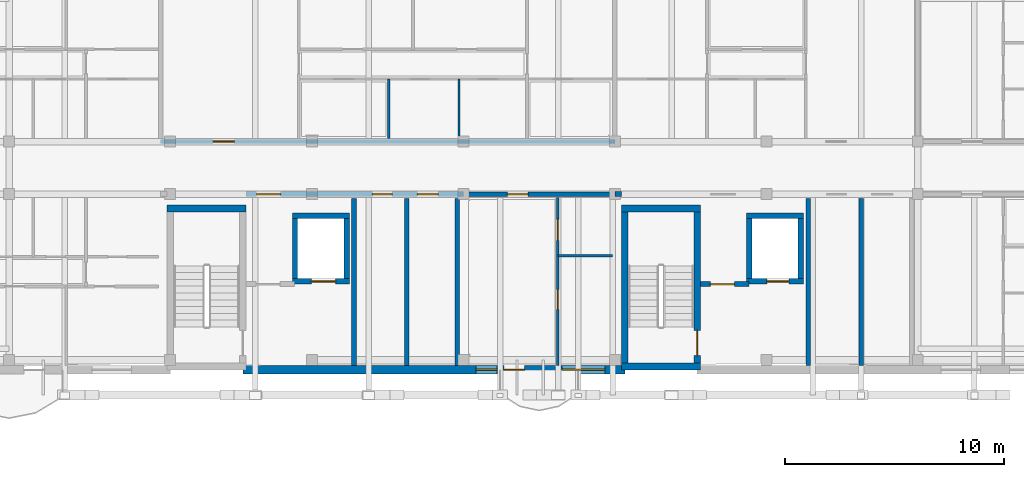
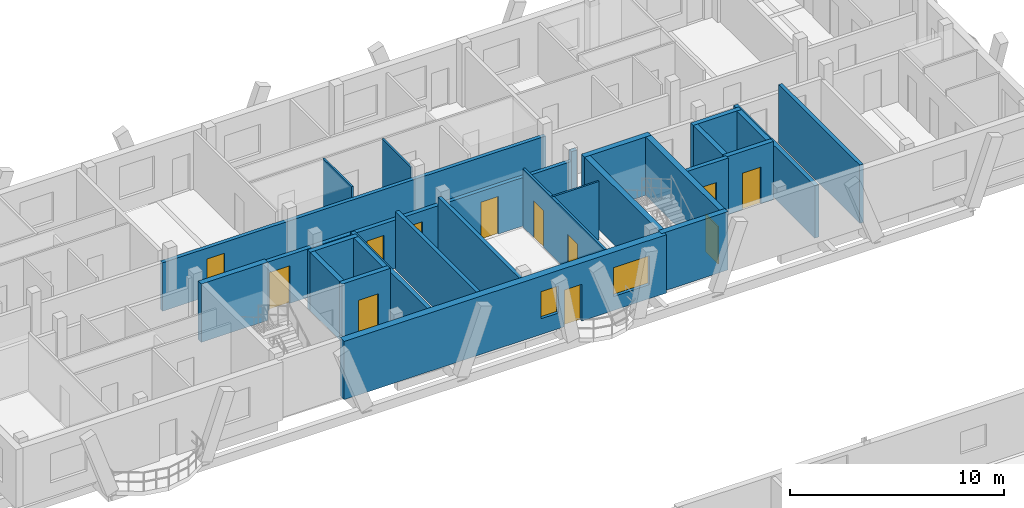
# One storey, part 164 of 189: 28 walls, 12 doors, 2 windows, 14 openings.
"""IFC4 building model written with IfcOpenShell, lengths in metres."""

from ifc_helpers import new_model, si_unit, direction, frame, frame_2d, origin, origin_with_axes, place, context, subcontext, project, spatial, rectangle, extrude, material, layer, layer_set, type_object, element, fill, save


model = new_model("IFC4")

# Units and contexts
model_context = context("Model", 3, precision=1e-05, world=origin(), true_north=direction((0.0, 1.0)))
body_context = subcontext(model_context, "Body", "Model", "MODEL_VIEW")
ifc_project = project(units=[si_unit("LENGTHUNIT", "METRE"), si_unit("AREAUNIT", "SQUARE_METRE"), si_unit("VOLUMEUNIT", "CUBIC_METRE"), si_unit("PLANEANGLEUNIT", "RADIAN"), si_unit("MASSUNIT", "GRAM", prefix="KILO")], contexts=[model_context])

# Site, building, storey
site_placement = place(None, origin())
site = spatial("IfcSite", under=ifc_project, at=site_placement, CompositionType="ELEMENT")
building_placement = place(site_placement, origin())
building = spatial("IfcBuilding", under=site, at=building_placement, Name="Zavelmont Quarter", CompositionType="ELEMENT")
storey_placement = place(building_placement, frame((0.0, 0.0, 4.39990234375)))
storey = spatial("IfcBuildingStorey", under=building, at=storey_placement, Name="L01", CompositionType="ELEMENT", Elevation=4.39990234375)

# Wall, openings, door, windows
ifc_material_1 = material(Name="Natural Belgian limestone", Category="masonry")
ifc_layer_1 = layer(ifc_material_1, 0.3798828125)
ifc_layer_set_1 = layer_set([ifc_layer_1], Name="Natural Belgian limestone")
wall_type_1 = type_object("IfcWallType", Name="EW01", PredefinedType="STANDARD", material=ifc_layer_set_1)
wall_1_placement = place(storey_placement, frame((130.35009765625, 97.60009765625, 0.0), z_axis=(0.0, 0.0, 1.0), x_axis=(1.0, 0.0, 0.0)))
wall_1 = element("IfcWall", 1, at=wall_1_placement, inside=storey, type_object=wall_type_1, Name="L01 exterior limestone wall EW01", PredefinedType="STANDARD", context=body_context, shape_type="SweptSolid", body=[
    extrude(rectangle(XDim=17.39990234375, YDim=0.3798828125, at=frame_2d((8.699951171875, 0.0))), origin(), (0.0, 0.0, 1.0), 3.330078125),
])
opening_1_placement = place(wall_1_placement, frame((11.891845703125, 0.0, 0.0)))
opening_1 = element("IfcOpeningElement", 2, at=opening_1_placement, cuts=wall_1, Name="Opening DR04", PredefinedType="OPENING", context=body_context, shape_type="SweptSolid", body=[
    extrude(rectangle(XDim=0.949951171875, YDim=2.10009765625, at=frame_2d((0.47509765625, 1.050048828125))), frame((0.0, 0.201904296875, 0.0), z_axis=(0.0, -1.0, 0.0), x_axis=(1.0, 0.0, 0.0)), (0.0, 0.0, 1.0), 0.40380859375),
])
opening_2_placement = place(wall_1_placement, frame((10.6201171875, 0.0, 0.89990234375)))
opening_2 = element("IfcOpeningElement", 3, at=opening_2_placement, cuts=wall_1, Name="Opening WN04", PredefinedType="OPENING", context=body_context, shape_type="SweptSolid", body=[
    extrude(rectangle(XDim=0.949951171875, YDim=1.550048828125, at=frame_2d((0.47509765625, 0.77490234375))), frame((0.0, 0.201904296875, 0.0), z_axis=(0.0, -1.0, 0.0), x_axis=(1.0, 0.0, 0.0)), (0.0, 0.0, 1.0), 0.40380859375),
])
opening_3_placement = place(wall_1_placement, frame((14.547607421875, 0.0, 0.800048828125)))
opening_3 = element("IfcOpeningElement", 4, at=opening_3_placement, cuts=wall_1, Name="Opening WN24", PredefinedType="OPENING", context=body_context, shape_type="SweptSolid", body=[
    extrude(rectangle(XDim=1.949951171875, YDim=1.64990234375, at=frame_2d((0.97509765625, 0.824951171875))), frame((0.0, 0.201904296875, 0.0), z_axis=(0.0, -1.0, 0.0), x_axis=(1.0, 0.0, 0.0)), (0.0, 0.0, 1.0), 0.40380859375),
])
ifc_material_2 = material(Name="Thermally broken aluminium and double safety glass", Category="aluminium")
door_type_1 = type_object("IfcDoorType", Name="DR04", OperationType="NOTDEFINED", PredefinedType="DOOR", material=ifc_material_2)
door_1_placement = place(opening_1_placement, origin_with_axes())
door_1 = element("IfcDoor", 5, at=door_1_placement, inside=storey, type_object=door_type_1, Name="Block C L01 glazed balcony door", OperationType="SINGLE_SWING_RIGHT", OverallHeight=2.10009765625, OverallWidth=0.949951171875, PredefinedType="DOOR", context=body_context, shape_type="SweptSolid", body=[
    extrude(rectangle(XDim=0.949951171875, YDim=2.10009765625, at=frame_2d((0.47509765625, 1.050048828125))), frame((0.0, 0.02490234375, 0.0), z_axis=(0.0, -1.0, 0.0), x_axis=(1.0, 0.0, 0.0)), (0.0, 0.0, 1.0), 0.050048828125),
])
fill(opening_1, door_1)
ifc_material_3 = material(Name="Double low-E insulated glazing in thermally broken aluminium frame", Category="aluminium")
window_type_1 = type_object("IfcWindowType", Name="WN04", PartitioningType="SINGLE_PANEL", PredefinedType="WINDOW", material=ifc_material_3)
window_1_placement = place(opening_2_placement, origin_with_axes())
window_1 = element("IfcWindow", 6, at=window_1_placement, inside=storey, type_object=window_type_1, Name="L01 window WN04", OverallHeight=1.550048828125, OverallWidth=0.949951171875, PartitioningType="SINGLE_PANEL", PredefinedType="WINDOW", context=body_context, shape_type="SweptSolid", body=[
    extrude(rectangle(XDim=0.949951171875, YDim=1.550048828125, at=frame_2d((0.47509765625, 0.77490234375))), frame((0.0, 0.030029296875, 0.0), z_axis=(0.0, -1.0, 0.0), x_axis=(1.0, 0.0, 0.0)), (0.0, 0.0, 1.0), 0.06005859375),
])
fill(opening_2, window_1)
window_type_2 = type_object("IfcWindowType", Name="WN24", PartitioningType="SINGLE_PANEL", PredefinedType="WINDOW", material=ifc_material_3)
window_2_placement = place(opening_3_placement, origin_with_axes())
window_2 = element("IfcWindow", 7, at=window_2_placement, inside=storey, type_object=window_type_2, Name="L01 window WN24", OverallHeight=1.64990234375, OverallWidth=1.949951171875, PartitioningType="SINGLE_PANEL", PredefinedType="WINDOW", context=body_context, shape_type="SweptSolid", body=[
    extrude(rectangle(XDim=1.949951171875, YDim=1.64990234375, at=frame_2d((0.97509765625, 0.824951171875))), frame((0.0, 0.030029296875, 0.0), z_axis=(0.0, -1.0, 0.0), x_axis=(1.0, 0.0, 0.0)), (0.0, 0.0, 1.0), 0.06005859375),
])
fill(opening_3, window_2)

# Walls
ifc_material_4 = material(Name="Calcium-silicate blockwork and acoustic plaster", Category="masonry")
ifc_layer_2 = layer(ifc_material_4, 0.199951171875)
ifc_layer_set_2 = layer_set([ifc_layer_2], Name="Calcium-silicate blockwork and acoustic plaster")
wall_type_2 = type_object("IfcWallType", Name="IW01", PredefinedType="PARTITIONING", material=ifc_layer_set_2)
for number, where, z_axis, x_axis, name in (
    (8, (137.824951171875, 97.800048828125, 0.0), (0.0, 0.0, 1.0), (0.0, 1.0, 0.0), "L01 Service riser divider wall IW01"),
    (9, (140.1201171875, 97.800048828125, 0.0), (0.0, 0.0, 1.0), (0.0, 1.0, 0.0), "L01 Core service end wall IW01"),
    (10, (158.52490234375, 97.800048828125, 0.0), (0.0, 0.0, 1.0), (0.0, 1.0, 0.0), "L01 Service riser divider wall IW01"),
):
    element("IfcWall", number, at=place(storey_placement, frame(where, z_axis=z_axis, x_axis=x_axis)), inside=storey, type_object=wall_type_2, Name=name, PredefinedType="PARTITIONING", context=body_context, shape_type="SweptSolid", body=[
        extrude(rectangle(XDim=7.599853515625, YDim=0.199951171875, at=frame_2d((3.7998046875, 0.0))), origin(), (0.0, 0.0, 1.0), 3.330078125),
    ])

# Wall, opening, door
wall_2_placement = place(storey_placement, frame((126.60009765625, 108.0, 0.0), z_axis=(0.0, 0.0, 1.0), x_axis=(1.0, 0.0, 0.0)))
wall_2 = element("IfcWall", 11, at=wall_2_placement, inside=storey, type_object=wall_type_2, Name="L01 Corridor compartment wall IW01", PredefinedType="PARTITIONING", context=body_context, shape_type="SweptSolid", body=[
    extrude(rectangle(XDim=20.699951171875, YDim=0.199951171875, at=frame_2d((10.35009765625, 0.0))), origin(), (0.0, 0.0, 1.0), 2.77001953125),
])
opening_4_placement = place(wall_2_placement, frame((2.39990234375, 0.0, 0.0)))
opening_4 = element("IfcOpeningElement", 12, at=opening_4_placement, cuts=wall_2, Name="Opening DR02", PredefinedType="OPENING", context=body_context, shape_type="SweptSolid", body=[
    extrude(rectangle(XDim=0.949951171875, YDim=2.14990234375, at=frame_2d((0.47509765625, 1.074951171875))), frame((0.0, 0.11181640625, 0.0), z_axis=(0.0, -1.0, 0.0), x_axis=(1.0, 0.0, 0.0)), (0.0, 0.0, 1.0), 0.223876953125),
])
ifc_material_5 = material(Name="Solid-core oak fire leaf in steel frame", Category="steel")
door_type_2 = type_object("IfcDoorType", Name="DR02", OperationType="NOTDEFINED", PredefinedType="DOOR", material=ifc_material_5)
door_2_placement = place(opening_4_placement, origin_with_axes())
door_2 = element("IfcDoor", 13, at=door_2_placement, inside=storey, type_object=door_type_2, Name="L01 door DR02", OperationType="SINGLE_SWING_RIGHT", OverallHeight=2.14990234375, OverallWidth=0.949951171875, PredefinedType="DOOR", context=body_context, shape_type="SweptSolid", body=[
    extrude(rectangle(XDim=0.949951171875, YDim=2.14990234375, at=frame_2d((0.47509765625, 1.074951171875))), frame((0.0, 0.02490234375, 0.0), z_axis=(0.0, -1.0, 0.0), x_axis=(1.0, 0.0, 0.0)), (0.0, 0.0, 1.0), 0.050048828125),
])
fill(opening_4, door_2)

wall_3_placement = place(storey_placement, frame((140.39990234375, 105.60009765625, 0.0), z_axis=(0.0, 0.0, 1.0), x_axis=(1.0, 0.0, 0.0)))
wall_3 = element("IfcWall", 14, at=wall_3_placement, inside=storey, type_object=wall_type_2, Name="L01 Corridor compartment wall IW01", PredefinedType="PARTITIONING", context=body_context, shape_type="SweptSolid", body=[
    extrude(rectangle(XDim=6.900146484375, YDim=0.199951171875, at=frame_2d((3.4501953125, 0.0))), origin(), (0.0, 0.0, 1.0), 2.77001953125),
])
opening_5_placement = place(wall_3_placement, frame((2.0, 0.0, 0.0)))
opening_5 = element("IfcOpeningElement", 15, at=opening_5_placement, cuts=wall_3, Name="Opening DR02", PredefinedType="OPENING", context=body_context, shape_type="SweptSolid", body=[
    extrude(rectangle(XDim=0.949951171875, YDim=2.14990234375, at=frame_2d((0.47509765625, 1.074951171875))), frame((0.0, 0.11181640625, 0.0), z_axis=(0.0, -1.0, 0.0), x_axis=(1.0, 0.0, 0.0)), (0.0, 0.0, 1.0), 0.223876953125),
])
door_3_placement = place(opening_5_placement, frame((0.949951171875, 0.0, 0.0), z_axis=(0.0, 0.0, 1.0), x_axis=(-1.0, 0.0, 0.0)))
door_3 = element("IfcDoor", 16, at=door_3_placement, inside=storey, type_object=door_type_2, Name="L01 door DR02", OperationType="SINGLE_SWING_LEFT", OverallHeight=2.14990234375, OverallWidth=0.949951171875, PredefinedType="DOOR", context=body_context, shape_type="SweptSolid", body=[
    extrude(rectangle(XDim=0.949951171875, YDim=2.14990234375, at=frame_2d((0.47509765625, 1.074951171875))), frame((0.0, 0.02490234375, 0.0), z_axis=(0.0, -1.0, 0.0), x_axis=(1.0, 0.0, 0.0)), (0.0, 0.0, 1.0), 0.050048828125),
])
fill(opening_5, door_3)

# Wall
ifc_material_6 = material(Name="Reinforced masonry fire compartment wall", Category="masonry")
ifc_layer_3 = layer(ifc_material_6, 0.22509765625)
ifc_layer_set_3 = layer_set([ifc_layer_3], Name="Reinforced masonry fire compartment wall")
wall_type_3 = type_object("IfcWallType", Name="IW02", PredefinedType="PARTITIONING", material=ifc_layer_set_3)
wall_4_placement = place(storey_placement, frame((135.409912109375, 97.800048828125, 0.0), z_axis=(0.0, 0.0, 1.0), x_axis=(0.0, 1.0, 0.0)))
element("IfcWall", 17, at=wall_4_placement, inside=storey, type_object=wall_type_3, Name="L01 Firefighting lobby enclosure wall IW02", PredefinedType="PARTITIONING", context=body_context, shape_type="SweptSolid", body=[
    extrude(rectangle(XDim=7.599853515625, YDim=0.22509765625, at=frame_2d((3.7998046875, 0.0))), origin(), (0.0, 0.0, 1.0), 2.989990234375),
])

# Wall, openings, doors
wall_5_placement = place(storey_placement, frame((130.5, 105.60009765625, 0.0), z_axis=(0.0, 0.0, 1.0), x_axis=(1.0, 0.0, 0.0)))
wall_5 = element("IfcWall", 18, at=wall_5_placement, inside=storey, type_object=wall_type_3, Name="L01 Core corridor fire wall IW02", PredefinedType="PARTITIONING", context=body_context, shape_type="SweptSolid", body=[
    extrude(rectangle(XDim=9.89990234375, YDim=0.22509765625, at=frame_2d((4.949951171875, 0.0))), origin(), (0.0, 0.0, 1.0), 2.77001953125),
])
opening_6_placement = place(wall_5_placement, frame((0.47509765625, 0.0, 0.0)))
opening_6 = element("IfcOpeningElement", 19, at=opening_6_placement, cuts=wall_5, Name="Opening DR10", PredefinedType="OPENING", context=body_context, shape_type="SweptSolid", body=[
    extrude(rectangle(XDim=1.10009765625, YDim=2.14990234375, at=frame_2d((0.550048828125, 1.074951171875))), frame((0.0, 0.12451171875, 0.0), z_axis=(0.0, -1.0, 0.0), x_axis=(1.0, 0.0, 0.0)), (0.0, 0.0, 1.0), 0.2490234375),
])
opening_7_placement = place(wall_5_placement, frame((5.75, 0.0, 0.0)))
opening_7 = element("IfcOpeningElement", 20, at=opening_7_placement, cuts=wall_5, Name="Opening DR11", PredefinedType="OPENING", context=body_context, shape_type="SweptSolid", body=[
    extrude(rectangle(XDim=0.89990234375, YDim=2.10009765625, at=frame_2d((0.449951171875, 1.050048828125))), frame((0.0, 0.12451171875, 0.0), z_axis=(0.0, -1.0, 0.0), x_axis=(1.0, 0.0, 0.0)), (0.0, 0.0, 1.0), 0.2490234375),
])
opening_8_placement = place(wall_5_placement, frame((7.800048828125, 0.0, 0.0)))
opening_8 = element("IfcOpeningElement", 21, at=opening_8_placement, cuts=wall_5, Name="Opening DR02", PredefinedType="OPENING", context=body_context, shape_type="SweptSolid", body=[
    extrude(rectangle(XDim=0.949951171875, YDim=2.14990234375, at=frame_2d((0.47509765625, 1.074951171875))), frame((0.0, 0.12451171875, 0.0), z_axis=(0.0, -1.0, 0.0), x_axis=(1.0, 0.0, 0.0)), (0.0, 0.0, 1.0), 0.2490234375),
])
door_4_placement = place(opening_8_placement, origin_with_axes())
door_4 = element("IfcDoor", 22, at=door_4_placement, inside=storey, type_object=door_type_2, Name="Auxiliary store corridor door", OperationType="SINGLE_SWING_RIGHT", OverallHeight=2.14990234375, OverallWidth=0.949951171875, PredefinedType="DOOR", context=body_context, shape_type="SweptSolid", body=[
    extrude(rectangle(XDim=0.949951171875, YDim=2.14990234375, at=frame_2d((0.47509765625, 1.074951171875))), frame((0.0, 0.02490234375, 0.0), z_axis=(0.0, -1.0, 0.0), x_axis=(1.0, 0.0, 0.0)), (0.0, 0.0, 1.0), 0.050048828125),
])
fill(opening_8, door_4)
ifc_material_7 = material(Name="Painted steel lobby fire door", Category="steel")
door_type_3 = type_object("IfcDoorType", Name="DR10", OperationType="NOTDEFINED", PredefinedType="DOOR", material=ifc_material_7)
door_5_placement = place(opening_6_placement, frame((1.10009765625, 0.0, 0.0), z_axis=(0.0, 0.0, 1.0), x_axis=(-1.0, 0.0, 0.0)))
door_5 = element("IfcDoor", 23, at=door_5_placement, inside=storey, type_object=door_type_3, Name="Core vestibule fire door", OperationType="SINGLE_SWING_RIGHT", OverallHeight=2.14990234375, OverallWidth=1.10009765625, PredefinedType="DOOR", context=body_context, shape_type="SweptSolid", body=[
    extrude(rectangle(XDim=1.10009765625, YDim=2.14990234375, at=frame_2d((0.550048828125, 1.074951171875))), frame((0.0, 0.02490234375, 0.0), z_axis=(0.0, -1.0, 0.0), x_axis=(1.0, 0.0, 0.0)), (0.0, 0.0, 1.0), 0.050048828125),
])
fill(opening_6, door_5)
ifc_material_8 = material(Name="Painted steel service-riser fire door", Category="steel")
door_type_4 = type_object("IfcDoorType", Name="DR11", OperationType="NOTDEFINED", PredefinedType="DOOR", material=ifc_material_8)
door_6_placement = place(opening_7_placement, origin_with_axes())
door_6 = element("IfcDoor", 24, at=door_6_placement, inside=storey, type_object=door_type_4, Name="Service riser fire door", OperationType="SINGLE_SWING_LEFT", OverallHeight=2.10009765625, OverallWidth=0.89990234375, PredefinedType="DOOR", context=body_context, shape_type="SweptSolid", body=[
    extrude(rectangle(XDim=0.89990234375, YDim=2.10009765625, at=frame_2d((0.449951171875, 1.050048828125))), frame((0.0, 0.02490234375, 0.0), z_axis=(0.0, -1.0, 0.0), x_axis=(1.0, 0.0, 0.0)), (0.0, 0.0, 1.0), 0.050048828125),
])
fill(opening_7, door_6)

# Wall
wall_6_placement = place(storey_placement, frame((156.110107421875, 97.800048828125, 0.0), z_axis=(0.0, 0.0, 1.0), x_axis=(0.0, 1.0, 0.0)))
element("IfcWall", 25, at=wall_6_placement, inside=storey, type_object=wall_type_3, Name="L01 Firefighting lobby enclosure wall IW02", PredefinedType="PARTITIONING", context=body_context, shape_type="SweptSolid", body=[
    extrude(rectangle(XDim=7.599853515625, YDim=0.22509765625, at=frame_2d((3.7998046875, 0.0))), origin(), (0.0, 0.0, 1.0), 2.989990234375),
])

# Wall, opening, door
wall_7_placement = place(storey_placement, frame((151.199951171875, 101.5, 0.0), z_axis=(0.0, 0.0, 1.0), x_axis=(1.0, 0.0, 0.0)))
wall_7 = element("IfcWall", 26, at=wall_7_placement, inside=storey, type_object=wall_type_3, Name="L01 Firefighting lobby threshold wall IW02", PredefinedType="PARTITIONING", context=body_context, shape_type="SweptSolid", body=[
    extrude(rectangle(XDim=2.199951171875, YDim=0.22509765625, at=frame_2d((1.10009765625, 0.0))), origin(), (0.0, 0.0, 1.0), 3.330078125),
])
opening_9_placement = place(wall_7_placement, frame((0.449951171875, 0.0, 0.0)))
opening_9 = element("IfcOpeningElement", 27, at=opening_9_placement, cuts=wall_7, Name="Opening DR10", PredefinedType="OPENING", context=body_context, shape_type="SweptSolid", body=[
    extrude(rectangle(XDim=1.10009765625, YDim=2.14990234375, at=frame_2d((0.550048828125, 1.074951171875))), frame((0.0, 0.12451171875, 0.0), z_axis=(0.0, -1.0, 0.0), x_axis=(1.0, 0.0, 0.0)), (0.0, 0.0, 1.0), 0.2490234375),
])
door_7_placement = place(opening_9_placement, frame((1.10009765625, 0.0, 0.0), z_axis=(0.0, 0.0, 1.0), x_axis=(-1.0, 0.0, 0.0)))
door_7 = element("IfcDoor", 28, at=door_7_placement, inside=storey, type_object=door_type_3, Name="Firefighting lobby fire door", OperationType="SINGLE_SWING_RIGHT", OverallHeight=2.14990234375, OverallWidth=1.10009765625, PredefinedType="DOOR", context=body_context, shape_type="SweptSolid", body=[
    extrude(rectangle(XDim=1.10009765625, YDim=2.14990234375, at=frame_2d((0.550048828125, 1.074951171875))), frame((0.0, 0.02490234375, 0.0), z_axis=(0.0, -1.0, 0.0), x_axis=(1.0, 0.0, 0.0)), (0.0, 0.0, 1.0), 0.050048828125),
])
fill(opening_9, door_7)

# Wall
wall_8_placement = place(storey_placement, frame((147.300048828125, 105.60009765625, 0.0), z_axis=(0.0, 0.0, 1.0), x_axis=(1.0, 0.0, 0.0)))
element("IfcWall", 29, at=wall_8_placement, inside=storey, type_object=wall_type_3, Name="L01 Core corridor wall IW02", PredefinedType="PARTITIONING", context=body_context, shape_type="SweptSolid", body=[
    extrude(rectangle(XDim=0.300048828125, YDim=0.22509765625, at=frame_2d((0.14990234375, 0.0))), origin(), (0.0, 0.0, 1.0), 3.330078125),
])

# Wall, openings, doors
ifc_material_9 = material(Name="Double gypsum board on acoustic steel stud", Category="steel")
ifc_layer_4 = layer(ifc_material_9, 0.125)
ifc_layer_set_4 = layer_set([ifc_layer_4], Name="Double gypsum board on acoustic steel stud")
wall_type_4 = type_object("IfcWallType", Name="IW03", PredefinedType="PARTITIONING", material=ifc_layer_set_4)
wall_9_placement = place(storey_placement, frame((144.699951171875, 105.449951171875, 0.0), z_axis=(0.0, 0.0, 1.0), x_axis=(0.0, -1.0, 0.0)))
wall_9 = element("IfcWall", 30, at=wall_9_placement, inside=storey, type_object=wall_type_4, Name="L01 Partition IW03", PredefinedType="PARTITIONING", context=body_context, shape_type="SweptSolid", body=[
    extrude(rectangle(XDim=7.64990234375, YDim=0.125, at=frame_2d((3.824951171875, 0.0))), origin(), (0.0, 0.0, 1.0), 3.330078125),
])
opening_10_placement = place(wall_9_placement, frame((1.0, 0.0, 0.0)))
opening_10 = element("IfcOpeningElement", 31, at=opening_10_placement, cuts=wall_9, Name="Opening DR17", PredefinedType="OPENING", context=body_context, shape_type="SweptSolid", body=[
    extrude(rectangle(XDim=0.949951171875, YDim=2.10009765625, at=frame_2d((0.47509765625, 1.050048828125))), frame((0.0, 0.074462890625, 0.0), z_axis=(0.0, -1.0, 0.0), x_axis=(1.0, 0.0, 0.0)), (0.0, 0.0, 1.0), 0.14892578125),
])
opening_11_placement = place(wall_9_placement, frame((4.199951171875, 0.0, 0.0)))
opening_11 = element("IfcOpeningElement", 32, at=opening_11_placement, cuts=wall_9, Name="Opening DR05", PredefinedType="OPENING", context=body_context, shape_type="SweptSolid", body=[
    extrude(rectangle(XDim=0.89990234375, YDim=2.10009765625, at=frame_2d((0.449951171875, 1.050048828125))), frame((0.0, 0.074462890625, 0.0), z_axis=(0.0, -1.0, 0.0), x_axis=(1.0, 0.0, 0.0)), (0.0, 0.0, 1.0), 0.14892578125),
])
ifc_material_10 = material(Name="Engineered oak flush interior door")
door_type_5 = type_object("IfcDoorType", Name="DR05", OperationType="NOTDEFINED", PredefinedType="DOOR", material=ifc_material_10)
door_8_placement = place(opening_11_placement, frame((0.89990234375, 0.0, 0.0), z_axis=(0.0, 0.0, 1.0), x_axis=(-1.0, 0.0, 0.0)))
door_8 = element("IfcDoor", 33, at=door_8_placement, inside=storey, type_object=door_type_5, Name="L01 door DR05", OperationType="SINGLE_SWING_RIGHT", OverallHeight=2.10009765625, OverallWidth=0.89990234375, PredefinedType="DOOR", context=body_context, shape_type="SweptSolid", body=[
    extrude(rectangle(XDim=0.89990234375, YDim=2.10009765625, at=frame_2d((0.449951171875, 1.050048828125))), frame((0.0, 0.02490234375, 0.0), z_axis=(0.0, -1.0, 0.0), x_axis=(1.0, 0.0, 0.0)), (0.0, 0.0, 1.0), 0.050048828125),
])
fill(opening_11, door_8)
ifc_material_11 = material(Name="Accessible washroom flush door")
door_type_6 = type_object("IfcDoorType", Name="DR17", OperationType="NOTDEFINED", PredefinedType="DOOR", material=ifc_material_11)
door_9_placement = place(opening_10_placement, origin_with_axes())
door_9 = element("IfcDoor", 34, at=door_9_placement, inside=storey, type_object=door_type_6, Name="L01 door DR17", OperationType="SINGLE_SWING_LEFT", OverallHeight=2.10009765625, OverallWidth=0.949951171875, PredefinedType="DOOR", context=body_context, shape_type="SweptSolid", body=[
    extrude(rectangle(XDim=0.949951171875, YDim=2.10009765625, at=frame_2d((0.47509765625, 1.050048828125))), frame((0.0, 0.02490234375, 0.0), z_axis=(0.0, -1.0, 0.0), x_axis=(1.0, 0.0, 0.0)), (0.0, 0.0, 1.0), 0.050048828125),
])
fill(opening_10, door_9)

# Walls
ifc_material_12 = material(Name="Moisture-resistant gypsum board on steel stud", Category="steel")
ifc_layer_5 = layer(ifc_material_12, 0.10009765625)
ifc_layer_set_5 = layer_set([ifc_layer_5], Name="Moisture-resistant gypsum board on steel stud")
wall_type_5 = type_object("IfcWallType", Name="IW04", PredefinedType="PARTITIONING", material=ifc_layer_set_5)
for number, where, z_axis, x_axis, name in (
    (35, (137.0, 108.14990234375, 0.0), (0.0, 0.0, 1.0), (0.0, 1.0, 0.0), "L01 Partition IW04"),
    (36, (140.199951171875, 108.14990234375, 0.0), (0.0, 0.0, 1.0), (0.0, 1.0, 0.0), "L01 Partition IW04"),
):
    element("IfcWall", number, at=place(storey_placement, frame(where, z_axis=z_axis, x_axis=x_axis)), inside=storey, type_object=wall_type_5, Name=name, PredefinedType="PARTITIONING", context=body_context, shape_type="SweptSolid", body=[
        extrude(rectangle(XDim=2.7001953125, YDim=0.10009765625, at=frame_2d((1.35009765625, 0.0))), origin(), (0.0, 0.0, 1.0), 3.330078125),
    ])
wall_10_placement = place(storey_placement, frame((144.699951171875, 102.800048828125, 0.0), z_axis=(0.0, 0.0, 1.0), x_axis=(1.0, 0.0, 0.0)))
element("IfcWall", 37, at=wall_10_placement, inside=storey, type_object=wall_type_5, Name="L01 Partition IW04", PredefinedType="PARTITIONING", context=body_context, shape_type="SweptSolid", body=[
    extrude(rectangle(XDim=2.5, YDim=0.10009765625, at=frame_2d((1.25, 0.0))), origin(), (0.0, 0.0, 1.0), 3.330078125),
])
ifc_material_13 = material(Name="Concrete C40/50", Category="concrete")
ifc_layer_6 = layer(ifc_material_13, 0.300048828125)
ifc_layer_set_6 = layer_set([ifc_layer_6], Name="Concrete C40/50")
wall_type_6 = type_object("IfcWallType", Name="SW01", PredefinedType="SHEAR", material=ifc_layer_set_6)
wall_11_placement = place(storey_placement, frame((126.89990234375, 104.949951171875, 0.0), z_axis=(0.0, 0.0, 1.0), x_axis=(1.0, 0.0, 0.0)))
element("IfcWall", 38, at=wall_11_placement, inside=storey, type_object=wall_type_6, Name="L01 ST05 corridor shear wall SW01", PredefinedType="SHEAR", context=body_context, shape_type="SweptSolid", body=[
    extrude(rectangle(XDim=3.60009765625, YDim=0.300048828125, at=frame_2d((1.800048828125, 0.0))), origin(), (0.0, 0.0, 1.0), 3.330078125),
])
wall_12_placement = place(storey_placement, frame((147.60009765625, 104.949951171875, 0.0), z_axis=(0.0, 0.0, 1.0), x_axis=(1.0, 0.0, 0.0)))
element("IfcWall", 39, at=wall_12_placement, inside=storey, type_object=wall_type_6, Name="L01 ST06 corridor shear wall SW01", PredefinedType="SHEAR", context=body_context, shape_type="SweptSolid", body=[
    extrude(rectangle(XDim=3.599853515625, YDim=0.300048828125, at=frame_2d((1.7998046875, 0.0))), origin(), (0.0, 0.0, 1.0), 3.330078125),
])
wall_13_placement = place(storey_placement, frame((147.75, 97.60009765625, 0.0), z_axis=(0.0, 0.0, 1.0), x_axis=(0.0, 1.0, 0.0)))
element("IfcWall", 40, at=wall_13_placement, inside=storey, type_object=wall_type_6, Name="L01 ST06 west shear wall SW01", PredefinedType="SHEAR", context=body_context, shape_type="SweptSolid", body=[
    extrude(rectangle(XDim=7.5, YDim=0.300048828125, at=frame_2d((3.75, 0.0))), origin(), (0.0, 0.0, 1.0), 3.330078125),
])

# Wall, opening, door
wall_14_placement = place(storey_placement, frame((151.050048828125, 97.60009765625, 0.0), z_axis=(0.0, 0.0, 1.0), x_axis=(0.0, 1.0, 0.0)))
wall_14 = element("IfcWall", 41, at=wall_14_placement, inside=storey, type_object=wall_type_6, Name="L01 ST06 lobby shear wall SW01", PredefinedType="SHEAR", context=body_context, shape_type="SweptSolid", body=[
    extrude(rectangle(XDim=7.5, YDim=0.300048828125, at=frame_2d((3.75, 0.0))), origin(), (0.0, 0.0, 1.0), 3.330078125),
])
opening_12_placement = place(wall_14_placement, frame((0.64990234375, 0.0, 0.0)))
opening_12 = element("IfcOpeningElement", 42, at=opening_12_placement, cuts=wall_14, Name="Opening DR09", PredefinedType="OPENING", context=body_context, shape_type="SweptSolid", body=[
    extrude(rectangle(XDim=1.14990234375, YDim=2.14990234375, at=frame_2d((0.574951171875, 1.074951171875))), frame((0.0, 0.162109375, 0.0), z_axis=(0.0, -1.0, 0.0), x_axis=(1.0, 0.0, 0.0)), (0.0, 0.0, 1.0), 0.323974609375),
])
ifc_material_14 = material(Name="Painted steel stair-core fire door", Category="steel")
door_type_7 = type_object("IfcDoorType", Name="DR09", OperationType="NOTDEFINED", PredefinedType="DOOR", material=ifc_material_14)
door_10_placement = place(opening_12_placement, origin_with_axes())
door_10 = element("IfcDoor", 43, at=door_10_placement, inside=storey, type_object=door_type_7, Name="ST06 protected stair door", OperationType="SINGLE_SWING_RIGHT", OverallHeight=2.14990234375, OverallWidth=1.14990234375, PredefinedType="DOOR", context=body_context, shape_type="SweptSolid", body=[
    extrude(rectangle(XDim=1.14990234375, YDim=2.14990234375, at=frame_2d((0.574951171875, 1.074951171875))), frame((0.0, 0.02490234375, 0.0), z_axis=(0.0, -1.0, 0.0), x_axis=(1.0, 0.0, 0.0)), (0.0, 0.0, 1.0), 0.050048828125),
])
fill(opening_12, door_10)

ifc_layer_7 = layer(ifc_material_13, 0.25)
ifc_layer_set_7 = layer_set([ifc_layer_7], Name="Concrete C40/50")
wall_type_7 = type_object("IfcWallType", Name="SW02", PredefinedType="SHEAR", material=ifc_layer_set_7)
wall_15_placement = place(storey_placement, frame((132.60009765625, 101.625, 0.0), z_axis=(0.0, 0.0, 1.0), x_axis=(1.0, 0.0, 0.0)))
wall_15 = element("IfcWall", 44, at=wall_15_placement, inside=storey, type_object=wall_type_7, Name="L01 Lift FL03 landing shaft wall SW02", PredefinedType="SHEAR", context=body_context, shape_type="SweptSolid", body=[
    extrude(rectangle(XDim=2.599853515625, YDim=0.25, at=frame_2d((1.2998046875, 0.0))), origin(), (0.0, 0.0, 1.0), 3.330078125),
])
opening_13_placement = place(wall_15_placement, frame((0.875, 0.0, 0.0)))
opening_13 = element("IfcOpeningElement", 45, at=opening_13_placement, cuts=wall_15, Name="Opening LD02", PredefinedType="OPENING", context=body_context, shape_type="SweptSolid", body=[
    extrude(rectangle(XDim=1.10009765625, YDim=2.10009765625, at=frame_2d((0.550048828125, 1.050048828125))), frame((0.0, 0.136962890625, 0.0), z_axis=(0.0, -1.0, 0.0), x_axis=(1.0, 0.0, 0.0)), (0.0, 0.0, 1.0), 0.27392578125),
])
ifc_material_15 = material(Name="Brushed stainless-steel firefighting lift landing door", Category="steel")
door_type_8 = type_object("IfcDoorType", Name="LD02", OperationType="SLIDING_TO_LEFT", PredefinedType="DOOR", material=ifc_material_15)
door_11_placement = place(opening_13_placement, origin_with_axes())
door_11 = element("IfcDoor", 46, at=door_11_placement, inside=storey, type_object=door_type_8, Name="Lift FL03 sliding landing door", OperationType="SLIDING_TO_LEFT", OverallHeight=2.10009765625, OverallWidth=1.10009765625, PredefinedType="DOOR", context=body_context, shape_type="SweptSolid", body=[
    extrude(rectangle(XDim=1.10009765625, YDim=2.10009765625, at=frame_2d((0.550048828125, 1.050048828125))), frame((0.0, 0.02490234375, 0.0), z_axis=(0.0, -1.0, 0.0), x_axis=(1.0, 0.0, 0.0)), (0.0, 0.0, 1.0), 0.050048828125),
])
fill(opening_13, door_11)

# Walls
wall_16_placement = place(storey_placement, frame((132.60009765625, 104.625, 0.0), z_axis=(0.0, 0.0, 1.0), x_axis=(1.0, 0.0, 0.0)))
element("IfcWall", 47, at=wall_16_placement, inside=storey, type_object=wall_type_7, Name="L01 Lift FL03 back shaft wall SW02", PredefinedType="SHEAR", context=body_context, shape_type="SweptSolid", body=[
    extrude(rectangle(XDim=2.599853515625, YDim=0.25, at=frame_2d((1.2998046875, 0.0))), origin(), (0.0, 0.0, 1.0), 3.330078125),
])
for number, where, z_axis, x_axis, name in (
    (48, (132.72509765625, 101.5, 0.0), (0.0, 0.0, 1.0), (0.0, 1.0, 0.0), "L01 Lift FL03 west shaft wall SW02"),
    (49, (135.074951171875, 101.5, 0.0), (0.0, 0.0, 1.0), (0.0, 1.0, 0.0), "L01 Lift FL03 east shaft wall SW02"),
):
    element("IfcWall", number, at=place(storey_placement, frame(where, z_axis=z_axis, x_axis=x_axis)), inside=storey, type_object=wall_type_7, Name=name, PredefinedType="SHEAR", context=body_context, shape_type="SweptSolid", body=[
        extrude(rectangle(XDim=3.25, YDim=0.25, at=frame_2d((1.625, 0.0))), origin(), (0.0, 0.0, 1.0), 3.330078125),
    ])

# Wall, opening, door
wall_17_placement = place(storey_placement, frame((153.300048828125, 101.625, 0.0), z_axis=(0.0, 0.0, 1.0), x_axis=(1.0, 0.0, 0.0)))
wall_17 = element("IfcWall", 50, at=wall_17_placement, inside=storey, type_object=wall_type_7, Name="L01 Lift LF06 landing shaft wall SW02", PredefinedType="SHEAR", context=body_context, shape_type="SweptSolid", body=[
    extrude(rectangle(XDim=2.599853515625, YDim=0.25, at=frame_2d((1.2998046875, 0.0))), origin(), (0.0, 0.0, 1.0), 3.330078125),
])
opening_14_placement = place(wall_17_placement, frame((0.925048828125, 0.0, 0.0)))
opening_14 = element("IfcOpeningElement", 51, at=opening_14_placement, cuts=wall_17, Name="Opening LD01", PredefinedType="OPENING", context=body_context, shape_type="SweptSolid", body=[
    extrude(rectangle(XDim=1.0, YDim=2.10009765625, at=frame_2d((0.5, 1.050048828125))), frame((0.0, 0.136962890625, 0.0), z_axis=(0.0, -1.0, 0.0), x_axis=(1.0, 0.0, 0.0)), (0.0, 0.0, 1.0), 0.27392578125),
])
ifc_material_16 = material(Name="Brushed stainless-steel automatic sliding landing door", Category="steel")
door_type_9 = type_object("IfcDoorType", Name="LD01", OperationType="SLIDING_TO_LEFT", PredefinedType="DOOR", material=ifc_material_16)
door_12_placement = place(opening_14_placement, origin_with_axes())
door_12 = element("IfcDoor", 52, at=door_12_placement, inside=storey, type_object=door_type_9, Name="Lift LF06 sliding landing door", OperationType="SLIDING_TO_LEFT", OverallHeight=2.10009765625, OverallWidth=1.0, PredefinedType="DOOR", context=body_context, shape_type="SweptSolid", body=[
    extrude(rectangle(XDim=1.0, YDim=2.10009765625, at=frame_2d((0.5, 1.050048828125))), frame((0.0, 0.02490234375, 0.0), z_axis=(0.0, -1.0, 0.0), x_axis=(1.0, 0.0, 0.0)), (0.0, 0.0, 1.0), 0.050048828125),
])
fill(opening_14, door_12)

# Walls
wall_18_placement = place(storey_placement, frame((153.300048828125, 104.625, 0.0), z_axis=(0.0, 0.0, 1.0), x_axis=(1.0, 0.0, 0.0)))
element("IfcWall", 53, at=wall_18_placement, inside=storey, type_object=wall_type_7, Name="L01 Lift LF06 back shaft wall SW02", PredefinedType="SHEAR", context=body_context, shape_type="SweptSolid", body=[
    extrude(rectangle(XDim=2.599853515625, YDim=0.25, at=frame_2d((1.2998046875, 0.0))), origin(), (0.0, 0.0, 1.0), 3.330078125),
])
for number, where, z_axis, x_axis, name in (
    (54, (153.425048828125, 101.5, 0.0), (0.0, 0.0, 1.0), (0.0, 1.0, 0.0), "L01 Lift LF06 west shaft wall SW02"),
    (55, (155.77490234375, 101.5, 0.0), (0.0, 0.0, 1.0), (0.0, 1.0, 0.0), "L01 Lift LF06 east shaft wall SW02"),
):
    element("IfcWall", number, at=place(storey_placement, frame(where, z_axis=z_axis, x_axis=x_axis)), inside=storey, type_object=wall_type_7, Name=name, PredefinedType="SHEAR", context=body_context, shape_type="SweptSolid", body=[
        extrude(rectangle(XDim=3.25, YDim=0.25, at=frame_2d((1.625, 0.0))), origin(), (0.0, 0.0, 1.0), 3.330078125),
    ])
ifc_layer_8 = layer(ifc_material_13, 0.300048828125)
ifc_layer_set_8 = layer_set([ifc_layer_8], Name="Concrete C40/50")
wall_type_8 = type_object("IfcWallType", Name="SW03", PredefinedType="SHEAR", material=ifc_layer_set_8)
wall_19_placement = place(storey_placement, frame((147.60009765625, 97.75, 0.0), z_axis=(0.0, 0.0, 1.0), x_axis=(1.0, 0.0, 0.0)))
element("IfcWall", 56, at=wall_19_placement, inside=storey, type_object=wall_type_8, Name="L01 ST06 outer shear wall SW03", PredefinedType="SHEAR", context=body_context, shape_type="SweptSolid", body=[
    extrude(rectangle(XDim=3.599853515625, YDim=0.300048828125, at=frame_2d((1.7998046875, 0.0))), origin(), (0.0, 0.0, 1.0), 3.330078125),
])

save(model, "model.ifc")
